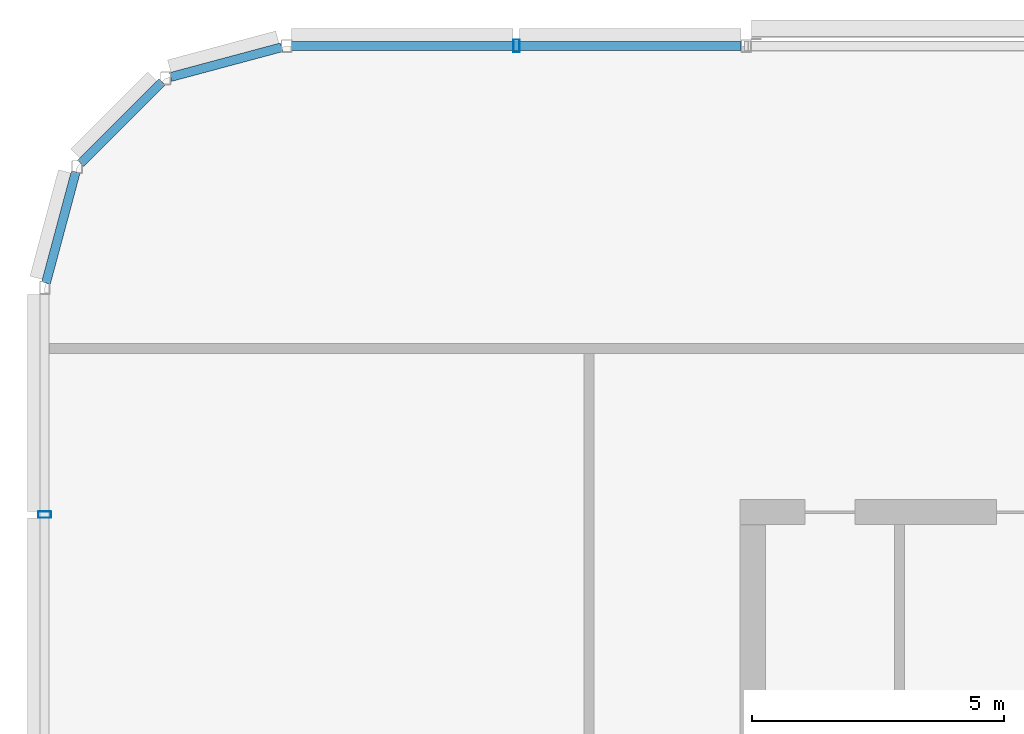
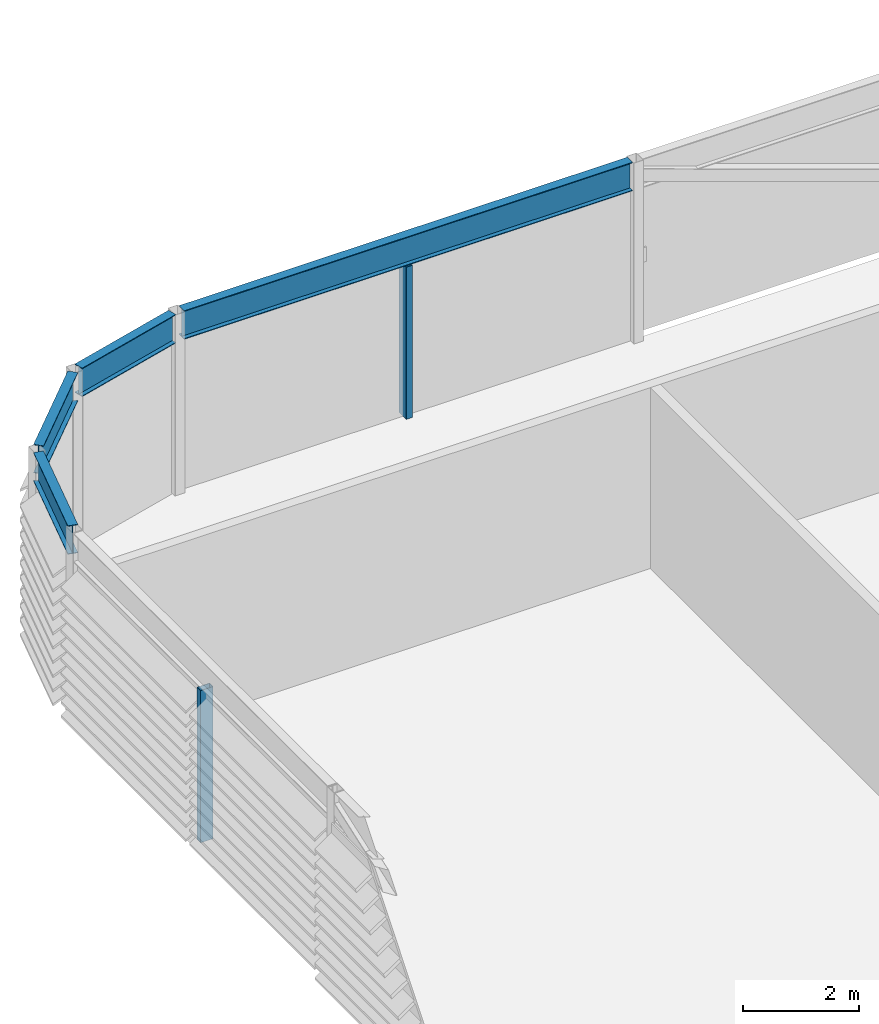
# One storey, part 11 of 28: 4 beams, 2 members.
"""IFC4 building model written with IfcOpenShell, lengths in metres."""

import ifcopenshell
import ifcopenshell.guid

model = None  # the IFC model being written
_history = None  # IfcOwnerHistory: only IFC2X3 demands one
_inside = {}  # id of a spatial element -> (the spatial element, [elements in it])
_under = {}  # id of a project, library or spatial element -> (it, [spatial elements below it])
_declared = {}  # id of a project -> (the project, [libraries it declares])
_typed = {}  # id of a type object -> (the type object, [elements of that type])
_made_of = {}  # id of a material, layer set ... -> (it, [elements and type objects made of it])


def new_model(schema):
    """Start an empty IFC model of exactly this schema.

    Asked for "IFC4X3", IfcOpenShell would pick the latest addendum, in which some entities
    have other attributes; the version numbers below select the first issue.
    IFC2X3 requires an IfcOwnerHistory on every rooted entity: one is made here for all.
    """
    global model, _history
    if schema == "IFC4X3":
        model = ifcopenshell.file(schema_version=(4, 3, 0, 0))
    else:
        model = ifcopenshell.file(schema=schema)
    _inside.clear()
    _under.clear()
    _declared.clear()
    _typed.clear()
    _made_of.clear()
    _history = None
    if model.schema == "IFC2X3":
        org = make("IfcOrganization", Name="unknown")
        user = make(
            "IfcPersonAndOrganization",
            ThePerson=make("IfcPerson", FamilyName="unknown"),
            TheOrganization=org,
        )
        app = make(
            "IfcApplication",
            ApplicationDeveloper=org,
            Version="unknown",
            ApplicationFullName="unknown",
            ApplicationIdentifier="unknown",
        )
        _history = make(
            "IfcOwnerHistory",
            OwningUser=user,
            OwningApplication=app,
            ChangeAction="ADDED",
            CreationDate=0,
        )
    return model


def make(cls, **values):
    """One entity of the class cls with the attributes given. An attribute that is None is left unset."""
    return model.create_entity(
        cls, **{name: value for name, value in values.items() if value is not None}
    )


def rooted(cls, **values):
    """An entity with a GlobalId (a new one), such as an element, a storey or a relation."""
    return make(cls, GlobalId=ifcopenshell.guid.new(), OwnerHistory=_history, **values)


def si_unit(unit_type, name, prefix=None):
    """IfcSIUnit, for example si_unit("LENGTHUNIT", "METRE", prefix="MILLI")."""
    return make("IfcSIUnit", UnitType=unit_type, Prefix=prefix, Name=name)


def assignment(units):
    """IfcUnitAssignment: the units of a project."""
    return None if units is None else make("IfcUnitAssignment", Units=units)


def point(xyz):
    """IfcCartesianPoint."""
    return None if xyz is None else make("IfcCartesianPoint", Coordinates=xyz)


def direction(xyz):
    """IfcDirection."""
    return None if xyz is None else make("IfcDirection", DirectionRatios=xyz)


def frame(location, z_axis=None, x_axis=None):
    """IfcAxis2Placement3D, a coordinate frame: its origin and axes. An axis left out is left unset."""
    return make(
        "IfcAxis2Placement3D",
        Location=point(location),
        Axis=direction(z_axis),
        RefDirection=direction(x_axis),
    )


def frame_2d(location, x_axis=None):
    """IfcAxis2Placement2D, a coordinate frame in the plane: its origin and x axis."""
    return make(
        "IfcAxis2Placement2D", Location=point(location), RefDirection=direction(x_axis)
    )


def origin():
    """The frame at (0, 0, 0) with its axes left unset."""
    return frame((0.0, 0.0, 0.0))


def origin_2d():
    """The frame at (0, 0) in the plane with its x axis left unset."""
    return frame_2d((0.0, 0.0))


def place(relative_to, where):
    """IfcLocalPlacement: puts the frame where relative to a parent placement (None: the world)."""
    return make(
        "IfcLocalPlacement", PlacementRelTo=relative_to, RelativePlacement=where
    )


def context(
    kind, dimensions, precision=None, world=None, true_north=None, identifier=None
):
    """IfcGeometricRepresentationContext, for example the 3D "Model" context."""
    return make(
        "IfcGeometricRepresentationContext",
        ContextIdentifier=identifier,
        ContextType=kind,
        CoordinateSpaceDimension=dimensions,
        Precision=precision,
        WorldCoordinateSystem=world,
        TrueNorth=true_north,
    )


def subcontext(parent, identifier, kind, view, scale=None):
    """IfcGeometricRepresentationSubContext, for example "Body" below "Model"."""
    return make(
        "IfcGeometricRepresentationSubContext",
        ContextIdentifier=identifier,
        ContextType=kind,
        ParentContext=parent,
        TargetScale=scale,
        TargetView=view,
    )


def project(units=None, contexts=None):
    """IfcProject with its units and contexts."""
    return rooted(
        "IfcProject",
        Name="project",
        RepresentationContexts=contexts,
        UnitsInContext=assignment(units),
    )


def spatial(cls, under=None, at=None, **own):
    """A site, building, storey or space (cls), placed at a placement, below another one or the project."""
    s = rooted(cls, ObjectPlacement=at, **own)
    if under is not None:
        _under.setdefault(under.id(), (under, []))[1].append(s)
    return s


def profile(cls, at=None, kind="AREA", **sizes):
    """A parametric profile (cls). Its sizes go by their IFC names, for example OverallWidth=200.0."""
    return make(cls, ProfileType=kind, Position=at, **sizes)


def hollow_rectangle(**sizes):
    """IfcRectangleHollowProfileDef."""
    return profile("IfcRectangleHollowProfileDef", **sizes)


def i_section(**sizes):
    """IfcIShapeProfileDef."""
    return profile("IfcIShapeProfileDef", **sizes)


def extrude(swept, where, along, depth):
    """IfcExtrudedAreaSolid: the profile swept, set in the frame where, extruded along a direction by depth."""
    return make(
        "IfcExtrudedAreaSolid",
        SweptArea=swept,
        Position=where,
        ExtrudedDirection=direction(along),
        Depth=depth,
    )


def shape(context_of_items, identifier, shape_type, items):
    """IfcShapeRepresentation: the items that make up one representation, for example the "Body"."""
    return make(
        "IfcShapeRepresentation",
        ContextOfItems=context_of_items,
        RepresentationIdentifier=identifier,
        RepresentationType=shape_type,
        Items=items,
    )


def material(Name=None, Category=None):
    """IfcMaterial."""
    return make("IfcMaterial", Name=Name, Category=Category)


def material_profile(
    of_material, cross_section, Name=None, Category=None, Priority=None
):
    """IfcMaterialProfile: a cross section and its material."""
    return make(
        "IfcMaterialProfile",
        Name=Name,
        Material=of_material,
        Profile=cross_section,
        Priority=Priority,
        Category=Category,
    )


def profile_set(profiles, Name=None, composite=None):
    """IfcMaterialProfileSet."""
    return make(
        "IfcMaterialProfileSet",
        Name=Name,
        MaterialProfiles=profiles,
        CompositeProfile=composite,
    )


def made_of(thing, what):
    """Note that an element or type object is made of a material, layer set ...; save() writes the relation."""
    if what is not None:
        _made_of.setdefault(what.id(), (what, []))[1].append(thing)
    return thing


def type_object(cls, material=None, **own):
    """A type object (cls), such as IfcWallType, which elements share."""
    return made_of(rooted(cls, **own), material)


def element(
    cls,
    number,
    at=None,
    inside=None,
    cuts=None,
    type_object=None,
    material=None,
    context=None,
    identifier="Body",
    shape_type=None,
    held_by="IfcProductDefinitionShape",
    body=None,
    shapes=None,
    **own,
):
    """One element of the class cls, such as IfcWall. Its Tag is "e" and its number.

    at: its placement. inside: the storey or other place that contains it. cuts: it is an
    opening in that element (IfcRelVoidsElement). A single representation is given by context,
    identifier, shape_type and body (its items); several are given by shapes. held_by: the class
    of the entity that holds the representations. save() writes the other relations.
    """
    e = rooted(cls, Tag="e%d" % number, ObjectPlacement=at, **own)
    if body is not None:
        shapes = [shape(context, identifier, shape_type, body)]
    if shapes is not None:
        e.Representation = make(held_by, Representations=shapes)
    if inside is not None:
        _inside.setdefault(inside.id(), (inside, []))[1].append(e)
    if cuts is not None:
        rooted(
            "IfcRelVoidsElement", RelatingBuildingElement=cuts, RelatedOpeningElement=e
        )
    if type_object is not None:
        _typed.setdefault(type_object.id(), (type_object, []))[1].append(e)
    return made_of(e, material)


def aggregate(whole, parts):
    """IfcRelAggregates: a whole, such as a stair, and the parts it consists of."""
    return rooted("IfcRelAggregates", RelatingObject=whole, RelatedObjects=parts)


def save(model, path):
    """Write the relations noted so far, then the file.

    IfcRelAggregates (storeys below a building ...), IfcRelContainedInSpatialStructure (elements
    in a storey), IfcRelDefinesByType, IfcRelAssociatesMaterial and IfcRelDeclares: one each for
    every whole, place, type object, material and project.
    """
    for whole, parts in _under.values():
        aggregate(whole, parts)
    for where, things in _inside.values():
        rooted(
            "IfcRelContainedInSpatialStructure",
            RelatedElements=things,
            RelatingStructure=where,
        )
    for kind, things in _typed.values():
        rooted("IfcRelDefinesByType", RelatedObjects=things, RelatingType=kind)
    for what, things in _made_of.values():
        rooted("IfcRelAssociatesMaterial", RelatedObjects=things, RelatingMaterial=what)
    for by, libraries in _declared.values():
        rooted("IfcRelDeclares", RelatingContext=by, RelatedDefinitions=libraries)
    model.write(path)


model = new_model("IFC4")

# Units and contexts
model_context = context("Model", 3, precision=1e-05, world=origin(), true_north=direction((0.0, 1.0)))
body_context = subcontext(model_context, "Body", "Model", "MODEL_VIEW")
ifc_project = project(units=[si_unit("LENGTHUNIT", "METRE"), si_unit("AREAUNIT", "SQUARE_METRE"), si_unit("VOLUMEUNIT", "CUBIC_METRE"), si_unit("PLANEANGLEUNIT", "RADIAN"), si_unit("MASSUNIT", "GRAM", prefix="KILO")], contexts=[model_context])

# Site, building, storey
site_placement = place(None, origin())
site = spatial("IfcSite", under=ifc_project, at=site_placement, CompositionType="ELEMENT")
building_placement = place(site_placement, origin())
building = spatial("IfcBuilding", under=site, at=building_placement, Name="Madar Terraces", CompositionType="ELEMENT")
storey_placement = place(building_placement, frame((0.0, 0.0, 305.89990234375)))
storey = spatial("IfcBuildingStorey", under=building, at=storey_placement, Name="L79", CompositionType="ELEMENT", Elevation=305.89990234375)

# Beams
ifc_material_1 = material(Name="Steel ASTM A992 Grade 50", Category="steel")
ifc_material_profile_1 = material_profile(ifc_material_1, i_section(OverallWidth=0.1787109375, OverallDepth=0.60205078125, WebThickness=0.010986328125, FlangeThickness=0.014892578125, at=origin_2d()), Name="W24x62")
ifc_profile_set_1 = profile_set([ifc_material_profile_1], Name="Steel ASTM A992 Grade 50")
beam_type = type_object("IfcBeamType", Name="CF2 W24x62", PredefinedType="BEAM", material=ifc_profile_set_1)
beam_1_placement = place(storey_placement, frame((15.018310546875, 46.800048828125, 3.4990234375), z_axis=(-1.0, 0.0, 0.0), x_axis=(0.0, -1.0, 0.0)))
element("IfcBeam", 1, at=beam_1_placement, inside=storey, type_object=beam_type, Name="Crown frame ring beam CF2", PredefinedType="BEAM", context=body_context, shape_type="SweptSolid", body=[
    extrude(i_section(OverallWidth=0.1787109375, OverallDepth=0.60205078125, WebThickness=0.010986328125, FlangeThickness=0.014892578125, at=origin_2d()), origin(), (0.0, 0.0, 1.0), 8.916748046875),
])
beam_2_placement = place(storey_placement, frame((5.90185546875, 46.773681640625, 3.4990234375), z_axis=(-0.965912700012, -0.258868028067, 0.0), x_axis=(0.258868028067, -0.965912700012, 0.0)))
element("IfcBeam", 2, at=beam_2_placement, inside=storey, type_object=beam_type, Name="Crown frame ring beam CF2", PredefinedType="BEAM", context=body_context, shape_type="SweptSolid", body=[
    extrude(i_section(OverallWidth=0.1787109375, OverallDepth=0.60205078125, WebThickness=0.010986328125, FlangeThickness=0.014892578125, at=origin_2d()), origin(), (0.0, 0.0, 1.0), 2.281494140625),
])
beam_3_placement = place(storey_placement, frame((3.528076171875, 46.0849609375, 3.4990234375), z_axis=(-0.707106781187, -0.707106781187, 0.0), x_axis=(0.707106781187, -0.707106781187, 0.0)))
element("IfcBeam", 3, at=beam_3_placement, inside=storey, type_object=beam_type, Name="Crown frame ring beam CF2", PredefinedType="BEAM", context=body_context, shape_type="SweptSolid", body=[
    extrude(i_section(OverallWidth=0.1787109375, OverallDepth=0.60205078125, WebThickness=0.010986328125, FlangeThickness=0.014892578125, at=origin_2d()), origin(), (0.0, 0.0, 1.0), 2.28125),
])
beam_4_placement = place(storey_placement, frame((1.81689453125, 44.3017578125, 3.4990234375), z_axis=(-0.258868028067, -0.965912700012, 0.0), x_axis=(0.965912700012, -0.258868028067, 0.0)))
element("IfcBeam", 4, at=beam_4_placement, inside=storey, type_object=beam_type, Name="Crown frame ring beam CF2", PredefinedType="BEAM", context=body_context, shape_type="SweptSolid", body=[
    extrude(i_section(OverallWidth=0.1787109375, OverallDepth=0.60205078125, WebThickness=0.010986328125, FlangeThickness=0.014892578125, at=origin_2d()), origin(), (0.0, 0.0, 1.0), 2.281494140625),
])

# Members
ifc_material_2 = material(Name="Steel ASTM A500 Grade C", Category="steel")
ifc_material_profile_2 = material_profile(ifc_material_2, hollow_rectangle(XDim=0.126953125, YDim=0.25390625, WallThickness=0.00634765625, InnerFilletRadius=0.0029296875, OuterFilletRadius=0.0087890625, at=origin_2d()), Name="HSS10x5x.25")
ifc_profile_set_2 = profile_set([ifc_material_profile_2], Name="Steel ASTM A500 Grade C")
member_type = type_object("IfcMemberType", Name="LS2 HSS10x5x.25", PredefinedType="POST", material=ifc_profile_set_2)
for number, where, z_axis, x_axis, name in (
    (5, (10.56005859375, 46.800048828125, 0.0), (0.0, 0.0, 1.0), (-1.0, 0.0, 0.0), "Crown louvre post LS2"),
    (6, (1.199951171875, 37.5, 0.0), (0.0, 0.0, 1.0), (0.0, -1.0, 0.0), "Crown louvre post LS2"),
):
    element("IfcMember", number, at=place(storey_placement, frame(where, z_axis=z_axis, x_axis=x_axis)), inside=storey, type_object=member_type, Name=name, PredefinedType="POST", context=body_context, shape_type="SweptSolid", body=[
        extrude(hollow_rectangle(XDim=0.126953125, YDim=0.25390625, WallThickness=0.00634765625, InnerFilletRadius=0.0029296875, OuterFilletRadius=0.0087890625, at=origin_2d()), origin(), (0.0, 0.0, 1.0), 3.197998046875),
    ])

save(model, "model.ifc")
